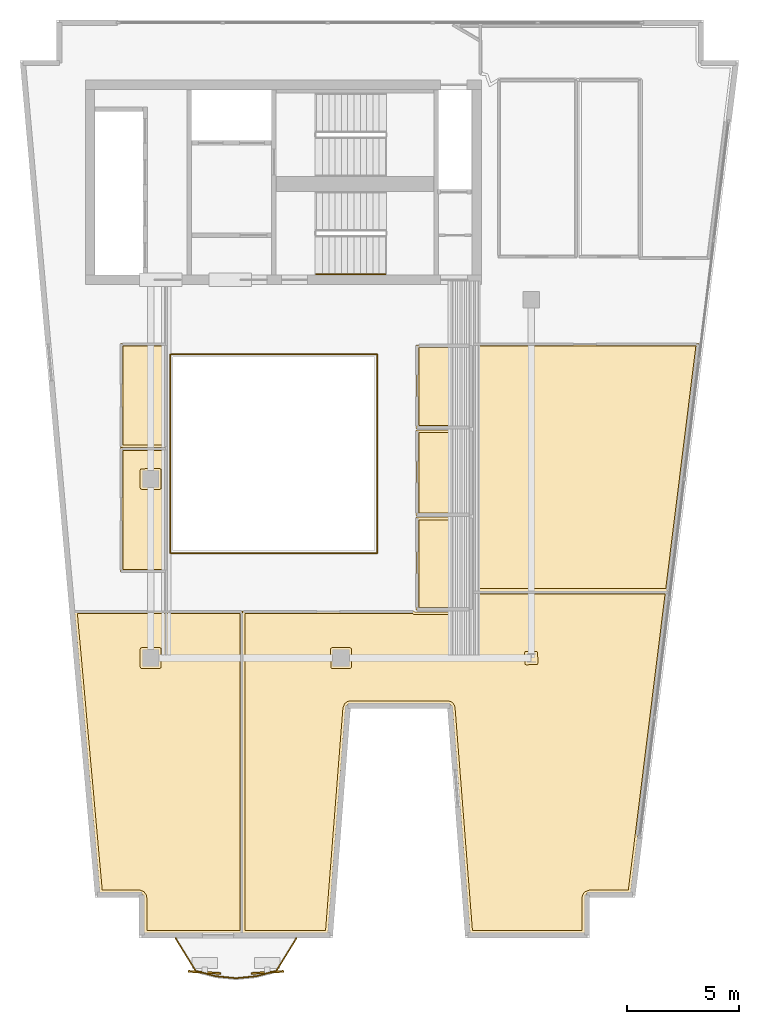
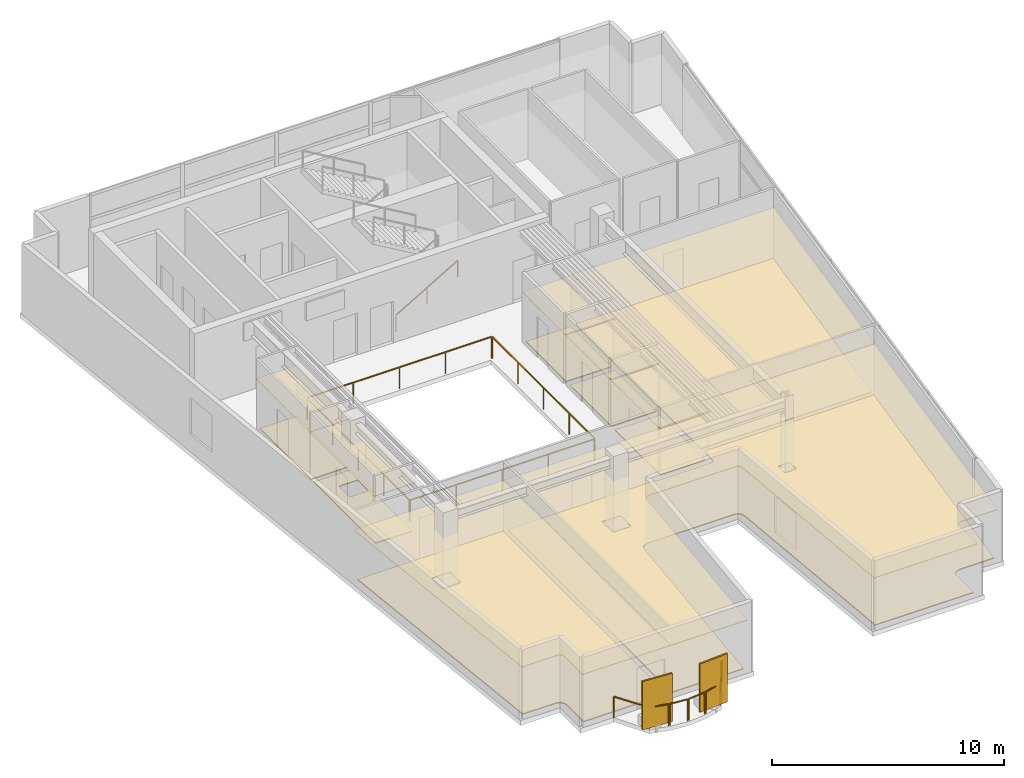
# One storey, part 7 of 8: 16 coverings, 11 railings, 2 shading devices.
"""IFC4 building model written with IfcOpenShell, lengths in metres."""

from ifc_helpers import new_model, si_unit, direction, frame, origin, origin_2d, place, context, subcontext, project, spatial, polyline, rectangle, outline, extrude, material, layer, layer_set, type_object, element, save


model = new_model("IFC4")

# Units and contexts
model_context = context("Model", 3, precision=1e-05, world=origin(), true_north=direction((0.0, 1.0)))
body_context = subcontext(model_context, "Body", "Model", "MODEL_VIEW")
ifc_project = project(units=[si_unit("LENGTHUNIT", "METRE"), si_unit("AREAUNIT", "SQUARE_METRE"), si_unit("VOLUMEUNIT", "CUBIC_METRE"), si_unit("PLANEANGLEUNIT", "RADIAN"), si_unit("MASSUNIT", "GRAM", prefix="KILO")], contexts=[model_context])

# Site, building, storey
site_placement = place(None, origin())
site = spatial("IfcSite", under=ifc_project, at=site_placement, CompositionType="ELEMENT")
building_placement = place(site_placement, origin())
building = spatial("IfcBuilding", under=site, at=building_placement, Name="Caeloran Harvest Quay", CompositionType="ELEMENT")
storey_placement = place(building_placement, frame((0.0, 0.0, 260.64990234375)))
storey = spatial("IfcBuildingStorey", under=building, at=storey_placement, Name="L62", CompositionType="ELEMENT", Elevation=260.64990234375)

# Coverings
ifc_material_1 = material(Name="Perforated Mineral-Fibre Acoustic Ceiling Tile", Category="ceiling")
ifc_layer_1 = layer(ifc_material_1, 0.0400390625, Name="Perforated Mineral-Fibre Acoustic Ceiling Tile")
ifc_layer_set_1 = layer_set([ifc_layer_1], Name="Perforated Mineral-Fibre Acoustic Ceiling Tile")
covering_type_1 = type_object("IfcCoveringType", Name="COV-CEILING-ACOUSTIC", PredefinedType="CEILING", material=ifc_layer_set_1)
covering_1_placement = place(storey_placement, frame((0.0, 0.0, 2.60009765625)))
element("IfcCovering", 1, at=covering_1_placement, inside=storey, type_object=covering_type_1, Name="L62 Male Washroom WC Acoustic Ceiling", PredefinedType="CEILING", context=body_context, shape_type="SweptSolid", body=[
    extrude(outline(polyline([(22.840087890625, 28.989990234375), (22.840087890625, 25.260009765625), (20.360107421875, 25.260009765625), (20.360107421875, 28.989990234375), (22.840087890625, 28.989990234375)])), origin(), (0.0, 0.0, 1.0), 0.0400390625),
])
covering_2_placement = place(storey_placement, frame((0.0, 0.0, 2.60009765625)))
element("IfcCovering", 2, at=covering_2_placement, inside=storey, type_object=covering_type_1, Name="L62 Female Washroom WC Acoustic Ceiling", PredefinedType="CEILING", context=body_context, shape_type="SweptSolid", body=[
    extrude(outline(polyline([(22.840087890625, 25.18994140625), (22.840087890625, 21.360107421875), (20.360107421875, 21.360107421875), (20.360107421875, 25.18994140625), (22.840087890625, 25.18994140625)])), origin(), (0.0, 0.0, 1.0), 0.0400390625),
])
covering_3_placement = place(storey_placement, frame((0.0, 0.0, 2.60009765625)))
element("IfcCovering", 3, at=covering_3_placement, inside=storey, type_object=covering_type_1, Name="L62 Accessible Unisex Washroom WC Acoustic Ceiling", PredefinedType="CEILING", context=body_context, shape_type="SweptSolid", body=[
    extrude(outline(polyline([(22.840087890625, 21.2900390625), (22.840087890625, 17.139892578125), (20.360107421875, 17.139892578125), (20.360107421875, 21.2900390625), (22.840087890625, 21.2900390625)])), origin(), (0.0, 0.0, 1.0), 0.0400390625),
])
covering_4_placement = place(storey_placement, frame((0.0, 0.0, 2.60009765625)))
element("IfcCovering", 4, at=covering_4_placement, inside=storey, type_object=covering_type_1, Name="Boutique Family-Office Chambers Acoustic Ceiling", PredefinedType="CEILING", context=body_context, shape_type="SweptSolid", body=[
    extrude(outline(polyline([(8.179443359375, 4.40380859375), (8.107666015625, 4.48291015625), (8.007080078125, 4.518798828125), (6.224853515625, 4.52001953125), (5.093017578125, 17.110107421875), (12.60009765625, 17.110107421875), (12.60009765625, 2.719970703125), (8.20556640625, 2.719970703125), (8.20556640625, 4.299072265625), (8.179443359375, 4.40380859375)])), origin(), (0.0, 0.0, 1.0), 0.0400390625),
])
covering_5_placement = place(storey_placement, frame((0.0, 0.0, 2.60009765625)))
element("IfcCovering", 5, at=covering_5_placement, inside=storey, type_object=covering_type_1, Name="Philanthropy Impact Office Acoustic Ceiling", PredefinedType="CEILING", context=body_context, shape_type="SweptSolid", body=[
    extrude(outline(polyline([(22.8701171875, 17.06005859375), (22.8701171875, 17.97998046875), (31.6103515625, 17.97998046875), (29.939453125, 4.52001953125), (28.111572265625, 4.52001953125), (28.046630859375, 4.510498046875), (27.970947265625, 4.469970703125), (27.9072265625, 4.38427734375), (27.890380859375, 4.299072265625), (27.890380859375, 2.719970703125), (22.75927734375, 2.719970703125), (21.97509765625, 12.76611328125), (21.951171875, 12.850830078125), (21.860595703125, 12.943359375), (21.754638671875, 12.969970703125), (17.402587890625, 12.968994140625), (17.339111328125, 12.95263671875), (17.267333984375, 12.90380859375), (17.219970703125, 12.830810546875), (17.205078125, 12.76611328125), (16.4208984375, 2.719970703125), (12.60009765625, 2.719970703125), (12.60009765625, 17.110107421875), (20.23828125, 17.110107421875), (20.2900390625, 17.0791015625), (20.2900390625, 17.06005859375), (22.8701171875, 17.06005859375)])), origin(), (0.0, 0.0, 1.0), 0.0400390625),
])
covering_6_placement = place(storey_placement, frame((0.0, 0.0, 2.60009765625)))
element("IfcCovering", 6, at=covering_6_placement, inside=storey, type_object=covering_type_1, Name="Quantitative Strategy Laboratory Acoustic Ceiling", PredefinedType="CEILING", context=body_context, shape_type="SweptSolid", body=[
    extrude(outline(polyline([(7.139892578125, 18.840087890625), (7.139892578125, 24.39990234375), (9.2099609375, 24.39990234375), (9.2099609375, 18.840087890625), (7.139892578125, 18.840087890625)])), origin(), (0.0, 0.0, 1.0), 0.0400390625),
])
covering_7_placement = place(storey_placement, frame((0.0, 0.0, 2.60009765625)))
element("IfcCovering", 7, at=covering_7_placement, inside=storey, type_object=covering_type_1, Name="Investment Committee Boardroom Acoustic Ceiling", PredefinedType="CEILING", context=body_context, shape_type="SweptSolid", body=[
    extrude(outline(polyline([(32.98583984375, 29.06005859375), (31.6103515625, 17.97998046875), (22.8701171875, 17.97998046875), (22.8701171875, 29.06005859375), (32.98583984375, 29.06005859375)])), origin(), (0.0, 0.0, 1.0), 0.0400390625),
])
covering_8_placement = place(storey_placement, frame((0.0, 0.0, 2.60009765625)))
element("IfcCovering", 8, at=covering_8_placement, inside=storey, type_object=covering_type_1, Name="Harbour Sky Salon Lounge Acoustic Ceiling", PredefinedType="CEILING", context=body_context, shape_type="SweptSolid", body=[
    extrude(outline(polyline([(7.139892578125, 24.39990234375), (7.139892578125, 29.06005859375), (9.2099609375, 29.06005859375), (9.2099609375, 24.39990234375), (7.139892578125, 24.39990234375)])), origin(), (0.0, 0.0, 1.0), 0.0400390625),
])
ifc_material_2 = material(Name="Calcium-Sulphate Raised Access Floor and Terrazzo Finish", Category="flooring")
ifc_layer_2 = layer(ifc_material_2, 0.050048828125, Name="Calcium-Sulphate Raised Access Floor and Terrazzo Finish")
ifc_layer_set_2 = layer_set([ifc_layer_2], Name="Calcium-Sulphate Raised Access Floor and Terrazzo Finish")
covering_type_2 = type_object("IfcCoveringType", Name="COV-FLOOR-RAISED", PredefinedType="FLOORING", material=ifc_layer_set_2)
covering_9_placement = place(storey_placement, origin())
element("IfcCovering", 9, at=covering_9_placement, inside=storey, type_object=covering_type_2, Name="L62 Male Washroom WC Raised Finish Flooring", PredefinedType="FLOORING", context=body_context, shape_type="SweptSolid", body=[
    extrude(outline(polyline([(22.719970703125, 28.8701171875), (22.719970703125, 25.3798828125), (20.47998046875, 25.3798828125), (20.47998046875, 28.8701171875), (22.719970703125, 28.8701171875)])), origin(), (0.0, 0.0, 1.0), 0.050048828125),
])
covering_10_placement = place(storey_placement, origin())
element("IfcCovering", 10, at=covering_10_placement, inside=storey, type_object=covering_type_2, Name="L62 Female Washroom WC Raised Finish Flooring", PredefinedType="FLOORING", context=body_context, shape_type="SweptSolid", body=[
    extrude(outline(polyline([(22.719970703125, 25.070068359375), (22.719970703125, 21.47998046875), (20.47998046875, 21.47998046875), (20.47998046875, 25.070068359375), (22.719970703125, 25.070068359375)])), origin(), (0.0, 0.0, 1.0), 0.050048828125),
])
covering_11_placement = place(storey_placement, origin())
element("IfcCovering", 11, at=covering_11_placement, inside=storey, type_object=covering_type_2, Name="L62 Accessible Unisex Washroom WC Raised Finish Flooring", PredefinedType="FLOORING", context=body_context, shape_type="SweptSolid", body=[
    extrude(outline(polyline([(22.719970703125, 21.169921875), (22.719970703125, 17.260009765625), (20.47998046875, 17.260009765625), (20.47998046875, 21.169921875), (22.719970703125, 21.169921875)])), origin(), (0.0, 0.0, 1.0), 0.050048828125),
])
covering_12_placement = place(storey_placement, origin())
element("IfcCovering", 12, at=covering_12_placement, inside=storey, type_object=covering_type_2, Name="Boutique Family-Office Chambers Raised Finish Flooring", PredefinedType="FLOORING", context=body_context, shape_type="SweptSolid", body=[
    extrude(outline(polyline([(8.301025390625, 4.426513671875), (8.197998046875, 4.565185546875), (8.022705078125, 4.637939453125), (6.33447265625, 4.639892578125), (5.224365234375, 16.989990234375), (12.47998046875, 16.989990234375), (12.47998046875, 2.840087890625), (8.325439453125, 2.840087890625), (8.325439453125, 4.300048828125), (8.301025390625, 4.426513671875)]), holes=[polyline([(8.030029296875, 14.610107421875), (8.053466796875, 14.553466796875), (8.102294921875, 14.530517578125), (8.889892578125, 14.530029296875), (8.946533203125, 14.553466796875), (8.969970703125, 14.610107421875), (8.969970703125, 15.389892578125), (8.946533203125, 15.446533203125), (8.889892578125, 15.469970703125), (8.110107421875, 15.469970703125), (8.053466796875, 15.446533203125), (8.030029296875, 15.389892578125), (8.030029296875, 14.610107421875)])]), origin(), (0.0, 0.0, 1.0), 0.050048828125),
])
covering_13_placement = place(storey_placement, origin())
element("IfcCovering", 13, at=covering_13_placement, inside=storey, type_object=covering_type_2, Name="Philanthropy Impact Office Raised Finish Flooring", PredefinedType="FLOORING", context=body_context, shape_type="SweptSolid", body=[
    extrude(outline(polyline([(20.18798828125, 16.989990234375), (20.280029296875, 16.93994140625), (22.915771484375, 16.946044921875), (22.98974609375, 17.043212890625), (22.989990234375, 17.860107421875), (31.474609375, 17.860107421875), (29.83349609375, 4.639892578125), (28.106689453125, 4.639892578125), (27.891845703125, 4.560302734375), (27.808837890625, 4.456787109375), (27.771728515625, 4.329345703125), (27.7705078125, 2.840087890625), (22.8701171875, 2.840087890625), (22.09423828125, 12.780517578125), (22.0595703125, 12.902099609375), (21.976806640625, 13.008056640625), (21.8837890625, 13.06494140625), (21.755615234375, 13.090087890625), (17.42041015625, 13.08984375), (17.2890625, 13.061767578125), (17.16162109375, 12.965576171875), (17.08544921875, 12.776611328125), (16.31005859375, 2.840087890625), (12.719970703125, 2.840087890625), (12.719970703125, 16.989990234375), (20.18798828125, 16.989990234375)]), holes=[polyline([(25.202392578125, 15.230712890625), (25.22021484375, 14.726318359375), (25.274169921875, 14.697509765625), (25.768798828125, 14.715087890625), (25.798095703125, 14.777099609375), (25.77978515625, 15.273681640625), (25.718017578125, 15.302978515625), (25.231201171875, 15.284912109375), (25.202392578125, 15.230712890625)]), polyline([(16.530029296875, 15.389892578125), (16.548095703125, 14.55908203125), (16.602294921875, 14.530517578125), (17.389892578125, 14.530029296875), (17.446533203125, 14.553466796875), (17.469970703125, 14.610107421875), (17.469970703125, 15.389892578125), (17.446533203125, 15.446533203125), (17.389892578125, 15.469970703125), (16.610107421875, 15.469970703125), (16.553466796875, 15.446533203125), (16.530029296875, 15.389892578125)])]), origin(), (0.0, 0.0, 1.0), 0.050048828125),
])
covering_14_placement = place(storey_placement, origin())
element("IfcCovering", 14, at=covering_14_placement, inside=storey, type_object=covering_type_2, Name="Quantitative Strategy Laboratory Raised Finish Flooring", PredefinedType="FLOORING", context=body_context, shape_type="SweptSolid", body=[
    extrude(outline(polyline([(9.090087890625, 18.9599609375), (7.260009765625, 18.9599609375), (7.260009765625, 24.280029296875), (9.090087890625, 24.280029296875), (9.090087890625, 18.9599609375)]), holes=[polyline([(8.889892578125, 23.469970703125), (8.05908203125, 23.451904296875), (8.030517578125, 23.397705078125), (8.030029296875, 22.610107421875), (8.053466796875, 22.553466796875), (8.110107421875, 22.530029296875), (8.889892578125, 22.530029296875), (8.946533203125, 22.553466796875), (8.969970703125, 22.610107421875), (8.969970703125, 23.389892578125), (8.946533203125, 23.446533203125), (8.889892578125, 23.469970703125)])]), origin(), (0.0, 0.0, 1.0), 0.050048828125),
])
covering_15_placement = place(storey_placement, origin())
element("IfcCovering", 15, at=covering_15_placement, inside=storey, type_object=covering_type_2, Name="Investment Committee Boardroom Raised Finish Flooring", PredefinedType="FLOORING", context=body_context, shape_type="SweptSolid", body=[
    extrude(outline(polyline([(32.85009765625, 28.93994140625), (31.50439453125, 18.10009765625), (22.989990234375, 18.10009765625), (22.989990234375, 28.93994140625), (32.85009765625, 28.93994140625)])), origin(), (0.0, 0.0, 1.0), 0.050048828125),
])
covering_16_placement = place(storey_placement, origin())
element("IfcCovering", 16, at=covering_16_placement, inside=storey, type_object=covering_type_2, Name="Harbour Sky Salon Lounge Raised Finish Flooring", PredefinedType="FLOORING", context=body_context, shape_type="SweptSolid", body=[
    extrude(outline(polyline([(7.260009765625, 24.52001953125), (7.260009765625, 28.93994140625), (9.090087890625, 28.93994140625), (9.090087890625, 24.52001953125), (7.260009765625, 24.52001953125)])), origin(), (0.0, 0.0, 1.0), 0.050048828125),
])

# Railings
ifc_material_3 = material(Name="Powder-Coated Steel Post and Laminated Glass Guardrail", Category="steel")
ifc_layer_3 = layer(ifc_material_3, 0.06005859375, Name="Powder-Coated Steel Post and Laminated Glass Guardrail")
ifc_layer_set_3 = layer_set([ifc_layer_3], Name="Powder-Coated Steel Post and Laminated Glass Guardrail")
railing_type_1 = type_object("IfcRailingType", Name="GUARD-ATRIUM-1150", PredefinedType="GUARDRAIL", material=ifc_layer_set_3)
railing_1_placement = place(storey_placement, frame((9.412109375, 19.679931640625, 0.0)))
element("IfcRailing", 17, at=railing_1_placement, inside=storey, type_object=railing_type_1, Name="L62 Skylit Atrium Void Perimeter Guardrail Seg 1", PredefinedType="GUARDRAIL", context=body_context, shape_type="SweptSolid", body=[
    extrude(rectangle(XDim=0.048095703125, YDim=0.048095703125, at=origin_2d()), frame((0.0, 0.0, 1.1259765625), z_axis=(1.0, 0.0, 0.0), x_axis=(0.0, 1.0, 0.0)), (0.0, 0.0, 1.0), 9.17578125),
    extrude(rectangle(XDim=0.0419921875, YDim=0.0419921875, at=origin_2d()), origin(), (0.0, 0.0, 1.0), 1.101806640625),
    extrude(rectangle(XDim=0.0419921875, YDim=0.0419921875, at=origin_2d()), frame((2.2939453125, 0.0, 0.0)), (0.0, 0.0, 1.0), 1.101806640625),
    extrude(rectangle(XDim=0.0419921875, YDim=0.0419921875, at=origin_2d()), frame((4.587890625, 0.0, 0.0)), (0.0, 0.0, 1.0), 1.101806640625),
    extrude(rectangle(XDim=0.0419921875, YDim=0.0419921875, at=origin_2d()), frame((6.8818359375, 0.0, 0.0)), (0.0, 0.0, 1.0), 1.101806640625),
    extrude(rectangle(XDim=0.0419921875, YDim=0.0419921875, at=origin_2d()), frame((9.17578125, 0.0, 0.0)), (0.0, 0.0, 1.0), 1.101806640625),
])
railing_2_placement = place(storey_placement, frame((18.6201171875, 19.7119140625, 0.0)))
element("IfcRailing", 18, at=railing_2_placement, inside=storey, type_object=railing_type_1, Name="L62 Skylit Atrium Void Perimeter Guardrail Seg 2", PredefinedType="GUARDRAIL", context=body_context, shape_type="SweptSolid", body=[
    extrude(rectangle(XDim=0.048095703125, YDim=0.048095703125, at=origin_2d()), frame((0.0, 0.0, 1.1259765625), z_axis=(0.0, 1.0, 0.0), x_axis=(-1.0, 0.0, 0.0)), (0.0, 0.0, 1.0), 8.826171875),
    extrude(rectangle(XDim=0.0419921875, YDim=0.0419921875, at=origin_2d()), origin(), (0.0, 0.0, 1.0), 1.101806640625),
    extrude(rectangle(XDim=0.0419921875, YDim=0.0419921875, at=origin_2d()), frame((0.0, 2.20654296875, 0.0)), (0.0, 0.0, 1.0), 1.101806640625),
    extrude(rectangle(XDim=0.0419921875, YDim=0.0419921875, at=origin_2d()), frame((0.0, 4.4130859375, 0.0)), (0.0, 0.0, 1.0), 1.101806640625),
    extrude(rectangle(XDim=0.0419921875, YDim=0.0419921875, at=origin_2d()), frame((0.0, 6.61962890625, 0.0)), (0.0, 0.0, 1.0), 1.101806640625),
    extrude(rectangle(XDim=0.0419921875, YDim=0.0419921875, at=origin_2d()), frame((0.0, 8.826171875, 0.0)), (0.0, 0.0, 1.0), 1.101806640625),
])
railing_3_placement = place(storey_placement, frame((18.587890625, 28.570068359375, 0.0)))
element("IfcRailing", 19, at=railing_3_placement, inside=storey, type_object=railing_type_1, Name="L62 Skylit Atrium Void Perimeter Guardrail Seg 3", PredefinedType="GUARDRAIL", context=body_context, shape_type="SweptSolid", body=[
    extrude(rectangle(XDim=0.048095703125, YDim=0.048095703125, at=origin_2d()), frame((0.0, 0.0, 1.1259765625), z_axis=(-1.0, 0.0, 0.0), x_axis=(0.0, -1.0, 0.0)), (0.0, 0.0, 1.0), 9.17578125),
    extrude(rectangle(XDim=0.0419921875, YDim=0.0419921875, at=origin_2d()), origin(), (0.0, 0.0, 1.0), 1.101806640625),
    extrude(rectangle(XDim=0.0419921875, YDim=0.0419921875, at=origin_2d()), frame((-2.2939453125, 0.0, 0.0)), (0.0, 0.0, 1.0), 1.101806640625),
    extrude(rectangle(XDim=0.0419921875, YDim=0.0419921875, at=origin_2d()), frame((-4.587890625, 0.0, 0.0)), (0.0, 0.0, 1.0), 1.101806640625),
    extrude(rectangle(XDim=0.0419921875, YDim=0.0419921875, at=origin_2d()), frame((-6.8818359375, 0.0, 0.0)), (0.0, 0.0, 1.0), 1.101806640625),
    extrude(rectangle(XDim=0.0419921875, YDim=0.0419921875, at=origin_2d()), frame((-9.17578125, 0.0, 0.0)), (0.0, 0.0, 1.0), 1.101806640625),
])
railing_4_placement = place(storey_placement, frame((9.3798828125, 28.5380859375, 0.0)))
element("IfcRailing", 20, at=railing_4_placement, inside=storey, type_object=railing_type_1, Name="L62 Skylit Atrium Void Perimeter Guardrail Seg 4", PredefinedType="GUARDRAIL", context=body_context, shape_type="SweptSolid", body=[
    extrude(rectangle(XDim=0.048095703125, YDim=0.048095703125, at=origin_2d()), frame((0.0, 0.0, 1.1259765625), z_axis=(0.0, -1.0, 0.0), x_axis=(1.0, 0.0, 0.0)), (0.0, 0.0, 1.0), 8.826171875),
    extrude(rectangle(XDim=0.0419921875, YDim=0.0419921875, at=origin_2d()), origin(), (0.0, 0.0, 1.0), 1.101806640625),
    extrude(rectangle(XDim=0.0419921875, YDim=0.0419921875, at=origin_2d()), frame((0.0, -2.20654296875, 0.0)), (0.0, 0.0, 1.0), 1.101806640625),
    extrude(rectangle(XDim=0.0419921875, YDim=0.0419921875, at=origin_2d()), frame((0.0, -4.4130859375, 0.0)), (0.0, 0.0, 1.0), 1.101806640625),
    extrude(rectangle(XDim=0.0419921875, YDim=0.0419921875, at=origin_2d()), frame((0.0, -6.61962890625, 0.0)), (0.0, 0.0, 1.0), 1.101806640625),
    extrude(rectangle(XDim=0.0419921875, YDim=0.0419921875, at=origin_2d()), frame((0.0, -8.826171875, 0.0)), (0.0, 0.0, 1.0), 1.101806640625),
])
ifc_material_4 = material(Name="Laminated Safety Glass and Stainless Steel 316", Category="steel")
ifc_layer_4 = layer(ifc_material_4, 0.06005859375, Name="Laminated Safety Glass and Stainless Steel 316")
ifc_layer_set_4 = layer_set([ifc_layer_4], Name="Laminated Safety Glass and Stainless Steel 316")
railing_type_2 = type_object("IfcRailingType", Name="GUARD-BALUSTRADE-1150", PredefinedType="BALUSTRADE", material=ifc_layer_set_4)
railing_5_placement = place(storey_placement, frame((15.00048828125, 2.47998046875, 0.0)))
element("IfcRailing", 21, at=railing_5_placement, inside=storey, type_object=railing_type_2, Name="L62 Planted Balcony Perimeter Balustrade Guard Seg 1", PredefinedType="BALUSTRADE", context=body_context, shape_type="SweptSolid", body=[
    extrude(rectangle(XDim=0.048095703125, YDim=0.048095703125, at=origin_2d()), frame((0.0, 0.0, 1.1259765625), z_axis=(-0.524755114743, -0.851253234679, 0.0), x_axis=(0.851253234679, -0.524755114743, 0.0)), (0.0, 0.0, 1.0), 1.67724609375),
    extrude(rectangle(XDim=0.0419921875, YDim=0.0419921875, at=origin_2d()), origin(), (0.0, 0.0, 1.0), 1.101806640625),
    extrude(rectangle(XDim=0.0419921875, YDim=0.0419921875, at=origin_2d()), frame((-0.880126953125, -1.427734375, 0.0)), (0.0, 0.0, 1.0), 1.101806640625),
])
railing_6_placement = place(storey_placement, frame((14.072509765625, 1.016845703125, 0.0)))
element("IfcRailing", 22, at=railing_6_placement, inside=storey, type_object=railing_type_2, Name="L62 Planted Balcony Perimeter Balustrade Guard Seg 2", PredefinedType="BALUSTRADE", context=body_context, shape_type="SweptSolid", body=[
    extrude(rectangle(XDim=0.048095703125, YDim=0.048095703125, at=origin_2d()), frame((0.0, 0.0, 1.1259765625), z_axis=(-0.966604421626, -0.256273081092, 0.0), x_axis=(0.256273081092, -0.966604421626, 0.0)), (0.0, 0.0, 1.0), 0.864013671875),
    extrude(rectangle(XDim=0.0419921875, YDim=0.0419921875, at=origin_2d()), origin(), (0.0, 0.0, 1.0), 1.101806640625),
    extrude(rectangle(XDim=0.0419921875, YDim=0.0419921875, at=origin_2d()), frame((-0.835205078125, -0.221435546875, 0.0)), (0.0, 0.0, 1.0), 1.101806640625),
])
railing_7_placement = place(storey_placement, frame((13.174560546875, 0.783935546875, 0.0)))
element("IfcRailing", 23, at=railing_7_placement, inside=storey, type_object=railing_type_2, Name="L62 Planted Balcony Perimeter Balustrade Guard Seg 3", PredefinedType="BALUSTRADE", context=body_context, shape_type="SweptSolid", body=[
    extrude(rectangle(XDim=0.048095703125, YDim=0.048095703125, at=origin_2d()), frame((0.0, 0.0, 1.1259765625), z_axis=(-0.995330149631, -0.096529235139, 0.0), x_axis=(0.096529235139, -0.995330149631, 0.0)), (0.0, 0.0, 1.0), 0.837158203125),
    extrude(rectangle(XDim=0.0419921875, YDim=0.0419921875, at=origin_2d()), origin(), (0.0, 0.0, 1.0), 1.101806640625),
    extrude(rectangle(XDim=0.0419921875, YDim=0.0419921875, at=origin_2d()), frame((-0.833251953125, -0.080810546875, 0.0)), (0.0, 0.0, 1.0), 1.101806640625),
])
railing_8_placement = place(storey_placement, frame((12.277587890625, 0.703125, 0.0)))
element("IfcRailing", 24, at=railing_8_placement, inside=storey, type_object=railing_type_2, Name="L62 Planted Balcony Perimeter Balustrade Guard Seg 4", PredefinedType="BALUSTRADE", context=body_context, shape_type="SweptSolid", body=[
    extrude(rectangle(XDim=0.048095703125, YDim=0.048095703125, at=origin_2d()), frame((0.0, 0.0, 1.1259765625), z_axis=(-0.995330149631, 0.096529235139, 0.0), x_axis=(-0.096529235139, -0.995330149631, 0.0)), (0.0, 0.0, 1.0), 0.837158203125),
    extrude(rectangle(XDim=0.0419921875, YDim=0.0419921875, at=origin_2d()), origin(), (0.0, 0.0, 1.0), 1.101806640625),
    extrude(rectangle(XDim=0.0419921875, YDim=0.0419921875, at=origin_2d()), frame((-0.833251953125, 0.080810546875, 0.0)), (0.0, 0.0, 1.0), 1.101806640625),
])
railing_9_placement = place(storey_placement, frame((11.381591796875, 0.79541015625, 0.0)))
element("IfcRailing", 25, at=railing_9_placement, inside=storey, type_object=railing_type_2, Name="L62 Planted Balcony Perimeter Balustrade Guard Seg 5", PredefinedType="BALUSTRADE", context=body_context, shape_type="SweptSolid", body=[
    extrude(rectangle(XDim=0.048095703125, YDim=0.048095703125, at=origin_2d()), frame((0.0, 0.0, 1.1259765625), z_axis=(-0.966604421626, 0.256273081092, 0.0), x_axis=(-0.256273081092, -0.966604421626, 0.0)), (0.0, 0.0, 1.0), 0.864013671875),
    extrude(rectangle(XDim=0.0419921875, YDim=0.0419921875, at=origin_2d()), origin(), (0.0, 0.0, 1.0), 1.101806640625),
    extrude(rectangle(XDim=0.0419921875, YDim=0.0419921875, at=origin_2d()), frame((-0.835205078125, 0.221435546875, 0.0)), (0.0, 0.0, 1.0), 1.101806640625),
])
railing_10_placement = place(storey_placement, frame((10.498779296875, 1.05224609375, 0.0)))
element("IfcRailing", 26, at=railing_10_placement, inside=storey, type_object=railing_type_2, Name="L62 Planted Balcony Perimeter Balustrade Guard Seg 6", PredefinedType="BALUSTRADE", context=body_context, shape_type="SweptSolid", body=[
    extrude(rectangle(XDim=0.048095703125, YDim=0.048095703125, at=origin_2d()), frame((0.0, 0.0, 1.1259765625), z_axis=(-0.524860582376, 0.851188210132, 0.0), x_axis=(-0.851188210132, -0.524860582376, 0.0)), (0.0, 0.0, 1.0), 1.67724609375),
    extrude(rectangle(XDim=0.0419921875, YDim=0.0419921875, at=origin_2d()), origin(), (0.0, 0.0, 1.0), 1.101806640625),
    extrude(rectangle(XDim=0.0419921875, YDim=0.0419921875, at=origin_2d()), frame((-0.88037109375, 1.427734375, 0.0)), (0.0, 0.0, 1.0), 1.101806640625),
])

# Shading devices
ifc_material_5 = material(Name="3003-H14 Perforated Powder-Coated Aluminium", Category="aluminium")
shading_device_type = type_object("IfcShadingDeviceType", Name="SHADE-SCREEN-FOLDED", PredefinedType="USERDEFINED", material=ifc_material_5)
for number, where, z_axis, x_axis, name in (
    (27, (13.708740234375, 0.9599609375, 0.0751953125), (0.0, 0.0, 1.0), (0.997801468292, 0.0662739004, 0.0), "L62 Folded Facade Breathing Screen 1"),
    (28, (10.91015625, 0.9599609375, 0.0751953125), (0.0, 0.0, 1.0), (0.997801468292, -0.0662739004, 0.0), "L62 Folded Facade Breathing Screen 2"),
):
    element("IfcShadingDevice", number, at=place(storey_placement, frame(where, z_axis=z_axis, x_axis=x_axis)), inside=storey, type_object=shading_device_type, Name=name, ObjectType="SCREEN", PredefinedType="USERDEFINED", context=body_context, shape_type="SweptSolid", body=[
        extrude(rectangle(XDim=1.449951171875, YDim=0.080078125, at=origin_2d()), origin(), (0.0, 0.0, 1.0), 2.550048828125),
    ])

# Railing
ifc_material_6 = material(Name="Brushed Stainless Steel Grade 304", Category="steel")
ifc_layer_5 = layer(ifc_material_6, 0.050048828125, Name="Brushed Stainless Steel Grade 304")
ifc_layer_set_5 = layer_set([ifc_layer_5], Name="Brushed Stainless Steel Grade 304")
railing_type_3 = type_object("IfcRailingType", Name="STAIR-HANDRAIL-900", PredefinedType="HANDRAIL", material=ifc_layer_set_5)
railing_11_placement = place(storey_placement, frame((15.89990234375, 32.14990234375, 0.164794921875)))
element("IfcRailing", 29, at=railing_11_placement, inside=storey, type_object=railing_type_3, Name="L62 ST-C2 stair handrail 1", PredefinedType="HANDRAIL", context=body_context, shape_type="SweptSolid", body=[
    extrude(rectangle(XDim=0.048095703125, YDim=0.048095703125, at=origin_2d()), frame((0.0, 0.0, 0.8759765625), z_axis=(0.862118610829, 0.0, 0.506706523406), x_axis=(0.0, 1.0, 0.0)), (0.0, 0.0, 1.0), 3.57275390625),
    extrude(rectangle(XDim=0.0419921875, YDim=0.0419921875, at=origin_2d()), origin(), (0.0, 0.0, 1.0), 0.851806640625),
    extrude(rectangle(XDim=0.0419921875, YDim=0.0419921875, at=origin_2d()), frame((1.5400390625, 0.0, 0.9052734375)), (0.0, 0.0, 1.0), 0.851806640625),
    extrude(rectangle(XDim=0.0419921875, YDim=0.0419921875, at=origin_2d()), frame((3.080078125, 0.0, 1.810302734375)), (0.0, 0.0, 1.0), 0.851806640625),
])

save(model, "model.ifc")
